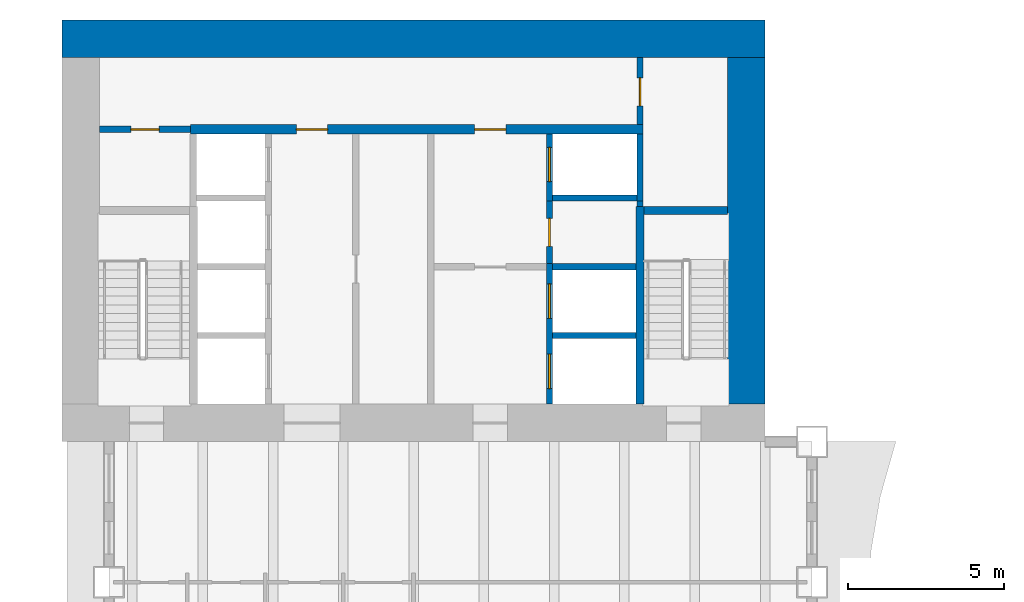
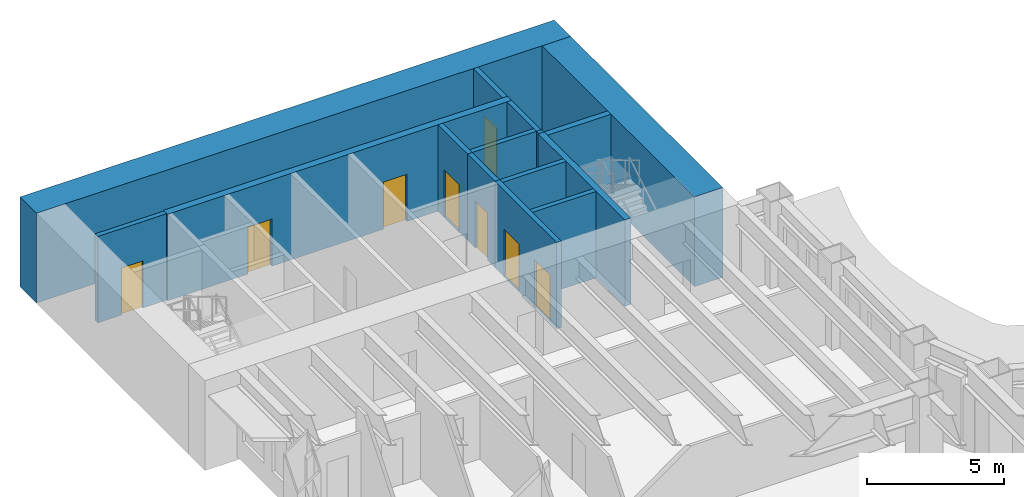
# One storey, part 9 of 16: 15 walls, 8 doors, 8 openings.
"""IFC4 building model written with IfcOpenShell, lengths in metres."""

from ifc_helpers import new_model, si_unit, direction, frame, frame_2d, origin, place, context, subcontext, project, spatial, rectangle, extrude, material, layer, layer_set, type_object, element, fill, save


model = new_model("IFC4")

# Units and contexts
model_context = context("Model", 3, precision=1e-05, world=origin(), true_north=direction((0.0, 1.0)))
body_context = subcontext(model_context, "Body", "Model", "MODEL_VIEW")
ifc_project = project(units=[si_unit("LENGTHUNIT", "METRE"), si_unit("AREAUNIT", "SQUARE_METRE"), si_unit("VOLUMEUNIT", "CUBIC_METRE"), si_unit("PLANEANGLEUNIT", "RADIAN"), si_unit("MASSUNIT", "GRAM", prefix="KILO")], contexts=[model_context])

# Site, building, storey
site_placement = place(None, origin())
site = spatial("IfcSite", under=ifc_project, at=site_placement, CompositionType="ELEMENT")
building_placement = place(site_placement, origin())
building = spatial("IfcBuilding", under=site, at=building_placement, Name="Sennacour Bend Tower", CompositionType="ELEMENT")
storey_placement = place(building_placement, frame((0.0, 0.0, 107.0)))
storey = spatial("IfcBuildingStorey", under=building, at=storey_placement, Name="L24", CompositionType="ELEMENT", Elevation=107.0)

# Walls
ifc_material_1 = material(Name="Concrete C80/95", Category="concrete")
ifc_layer_1 = layer(ifc_material_1, 1.199951171875, Name="Concrete C80/95", Category="concrete")
ifc_layer_set_1 = layer_set([ifc_layer_1], Name="Concrete C80/95")
wall_type_1 = type_object("IfcWallType", Name="Core wall 1200 C80/95", PredefinedType="SHEAR", material=ifc_layer_set_1)
wall_1_placement = place(storey_placement, frame((0.0, 48.89990234375, -0.14990234375), z_axis=(0.0, 0.0, 1.0), x_axis=(1.0, 0.0, 0.0)))
element("IfcWall", 1, at=wall_1_placement, inside=storey, type_object=wall_type_1, Name="Core B wall L24 N", PredefinedType="SHEAR", context=body_context, shape_type="SweptSolid", body=[
    extrude(rectangle(XDim=22.5, YDim=1.199951171875, at=frame_2d((11.25, 0.0))), origin(), (0.0, 0.0, 1.0), 4.0),
])
wall_2_placement = place(storey_placement, frame((21.89990234375, 37.199951171875, -0.14990234375), z_axis=(0.0, 0.0, 1.0), x_axis=(0.0, 1.0, 0.0)))
element("IfcWall", 2, at=wall_2_placement, inside=storey, type_object=wall_type_1, Name="Core B wall L24 E", PredefinedType="SHEAR", context=body_context, shape_type="SweptSolid", body=[
    extrude(rectangle(XDim=11.10009765625, YDim=1.199951171875, at=frame_2d((5.550048828125, 0.0))), origin(), (0.0, 0.0, 1.0), 4.0),
])

# Wall, opening, door
ifc_material_2 = material(Name="Fire-rated plasterboard partition on steel studs", Category="steel")
ifc_layer_2 = layer(ifc_material_2, 0.199951171875, Name="Fire-rated plasterboard partition on steel studs", Category="steel")
ifc_layer_set_2 = layer_set([ifc_layer_2], Name="Fire-rated plasterboard partition on steel studs")
wall_type_2 = type_object("IfcWallType", Name="Rated partition 200", PredefinedType="PARTITIONING", material=ifc_layer_set_2)
wall_3_placement = place(storey_placement, frame((15.60009765625, 41.699951171875, 0.0), z_axis=(0.0, 0.0, 1.0), x_axis=(0.0, 1.0, 0.0)))
wall_3 = element("IfcWall", 3, at=wall_3_placement, inside=storey, type_object=wall_type_2, Name="P-L24-W016", PredefinedType="PARTITIONING", context=body_context, shape_type="SweptSolid", body=[
    extrude(rectangle(XDim=2.0, YDim=0.199951171875, at=frame_2d((1.0, 0.0))), origin(), (0.0, 0.0, 1.0), 3.85009765625),
])
opening_1_placement = place(wall_3_placement, frame((0.550048828125, 0.0, 0.0)))
opening_1 = element("IfcOpeningElement", 4, at=opening_1_placement, cuts=wall_3, Name="Opening SV", PredefinedType="OPENING", context=body_context, shape_type="SweptSolid", body=[
    extrude(rectangle(XDim=0.89990234375, YDim=2.10009765625, at=frame_2d((0.449951171875, 1.050048828125))), frame((0.0, 0.10986328125, 0.0), z_axis=(0.0, -1.0, 0.0), x_axis=(1.0, 0.0, 0.0)), (0.0, 0.0, 1.0), 0.219970703125),
])
ifc_material_3 = material(Name="Painted steel", Category="steel")
door_type_1 = type_object("IfcDoorType", Name="DR-SERVICE-900", OperationType="NOTDEFINED", PredefinedType="DOOR", material=ifc_material_3)
door_1_placement = place(opening_1_placement, origin())
door_1 = element("IfcDoor", 5, at=door_1_placement, inside=storey, type_object=door_type_1, Name="Door", OperationType="SINGLE_SWING_RIGHT", OverallHeight=2.10009765625, OverallWidth=0.89990234375, PredefinedType="DOOR", context=body_context, shape_type="SweptSolid", body=[
    extrude(rectangle(XDim=0.89990234375, YDim=2.10009765625, at=frame_2d((0.449951171875, 1.050048828125))), frame((0.0, 0.02490234375, 0.0), z_axis=(0.0, -1.0, 0.0), x_axis=(1.0, 0.0, 0.0)), (0.0, 0.0, 1.0), 0.050048828125),
])
fill(opening_1, door_1)

# Wall
wall_4_placement = place(storey_placement, frame((18.5, 43.52490234375, 0.0), z_axis=(0.0, 0.0, 1.0), x_axis=(0.0, 1.0, 0.0)))
element("IfcWall", 6, at=wall_4_placement, inside=storey, type_object=wall_type_2, Name="P-L24-W020", PredefinedType="PARTITIONING", context=body_context, shape_type="SweptSolid", body=[
    extrude(rectangle(XDim=0.175048828125, YDim=0.199951171875, at=frame_2d((0.08740234375, 0.0))), origin(), (0.0, 0.0, 1.0), 3.85009765625),
])

# Wall, opening, door
wall_5_placement = place(storey_placement, frame((18.5, 46.14990234375, 0.0), z_axis=(0.0, 0.0, 1.0), x_axis=(0.0, 1.0, 0.0)))
wall_5 = element("IfcWall", 7, at=wall_5_placement, inside=storey, type_object=wall_type_2, Name="P-L24-W022", PredefinedType="PARTITIONING", context=body_context, shape_type="SweptSolid", body=[
    extrude(rectangle(XDim=2.150146484375, YDim=0.199951171875, at=frame_2d((1.0751953125, 0.0))), origin(), (0.0, 0.0, 1.0), 3.85009765625),
])
opening_2_placement = place(wall_5_placement, frame((0.60009765625, 0.0, 0.0)))
opening_2 = element("IfcOpeningElement", 8, at=opening_2_placement, cuts=wall_5, Name="Opening SV", PredefinedType="OPENING", context=body_context, shape_type="SweptSolid", body=[
    extrude(rectangle(XDim=0.89990234375, YDim=2.10009765625, at=frame_2d((0.449951171875, 1.050048828125))), frame((0.0, 0.10986328125, 0.0), z_axis=(0.0, -1.0, 0.0), x_axis=(1.0, 0.0, 0.0)), (0.0, 0.0, 1.0), 0.219970703125),
])
door_2_placement = place(opening_2_placement, origin())
door_2 = element("IfcDoor", 9, at=door_2_placement, inside=storey, type_object=door_type_1, Name="Door", OperationType="SINGLE_SWING_LEFT", OverallHeight=2.10009765625, OverallWidth=0.89990234375, PredefinedType="DOOR", context=body_context, shape_type="SweptSolid", body=[
    extrude(rectangle(XDim=0.89990234375, YDim=2.10009765625, at=frame_2d((0.449951171875, 1.050048828125))), frame((0.0, 0.02490234375, 0.0), z_axis=(0.0, -1.0, 0.0), x_axis=(1.0, 0.0, 0.0)), (0.0, 0.0, 1.0), 0.050048828125),
])
fill(opening_2, door_2)

wall_6_placement = place(storey_placement, frame((1.199951171875, 46.0, 0.0), z_axis=(0.0, 0.0, 1.0), x_axis=(1.0, 0.0, 0.0)))
wall_6 = element("IfcWall", 10, at=wall_6_placement, inside=storey, type_object=wall_type_2, Name="P-L24-W084", PredefinedType="PARTITIONING", context=body_context, shape_type="SweptSolid", body=[
    extrude(rectangle(XDim=2.900146484375, YDim=0.199951171875, at=frame_2d((1.4501953125, 0.0))), origin(), (0.0, 0.0, 1.0), 3.85009765625),
])
opening_3_placement = place(wall_6_placement, frame((1.0, 0.0, 0.0)))
opening_3 = element("IfcOpeningElement", 11, at=opening_3_placement, cuts=wall_6, Name="Opening SV", PredefinedType="OPENING", context=body_context, shape_type="SweptSolid", body=[
    extrude(rectangle(XDim=0.89990234375, YDim=2.10009765625, at=frame_2d((0.449951171875, 1.050048828125))), frame((0.0, 0.10986328125, 0.0), z_axis=(0.0, -1.0, 0.0), x_axis=(1.0, 0.0, 0.0)), (0.0, 0.0, 1.0), 0.219970703125),
])
door_3_placement = place(opening_3_placement, origin())
door_3 = element("IfcDoor", 12, at=door_3_placement, inside=storey, type_object=door_type_1, Name="Door", OperationType="SINGLE_SWING_LEFT", OverallHeight=2.10009765625, OverallWidth=0.89990234375, PredefinedType="DOOR", context=body_context, shape_type="SweptSolid", body=[
    extrude(rectangle(XDim=0.89990234375, YDim=2.10009765625, at=frame_2d((0.449951171875, 1.050048828125))), frame((0.0, 0.02490234375, 0.0), z_axis=(0.0, -1.0, 0.0), x_axis=(1.0, 0.0, 0.0)), (0.0, 0.0, 1.0), 0.050048828125),
])
fill(opening_3, door_3)

# Wall, openings, doors
ifc_material_4 = material(Name="Concrete C50/60", Category="concrete")
ifc_layer_3 = layer(ifc_material_4, 0.199951171875, Name="Concrete C50/60", Category="concrete")
ifc_layer_set_3 = layer_set([ifc_layer_3], Name="Concrete C50/60")
wall_type_3 = type_object("IfcWallType", Name="Shaft wall 200", PredefinedType="SOLIDWALL", material=ifc_layer_set_3)
wall_7_placement = place(storey_placement, frame((15.60009765625, 37.199951171875, 0.0), z_axis=(0.0, 0.0, 1.0), x_axis=(0.0, 1.0, 0.0)))
wall_7 = element("IfcWall", 13, at=wall_7_placement, inside=storey, type_object=wall_type_3, Name="P-L24-W015", PredefinedType="SOLIDWALL", context=body_context, shape_type="SweptSolid", body=[
    extrude(rectangle(XDim=4.5, YDim=0.199951171875, at=frame_2d((2.25, 0.0))), origin(), (0.0, 0.0, 1.0), 3.85009765625),
])
opening_4_placement = place(wall_7_placement, frame((0.5, 0.0, 0.011962890625)))
opening_4 = element("IfcOpeningElement", 14, at=opening_4_placement, cuts=wall_7, Name="Opening FLD", PredefinedType="OPENING", context=body_context, shape_type="SweptSolid", body=[
    extrude(rectangle(XDim=1.10009765625, YDim=2.10009765625, at=frame_2d((0.550048828125, 1.050048828125))), frame((0.0, 0.10986328125, 0.0), z_axis=(0.0, -1.0, 0.0), x_axis=(1.0, 0.0, 0.0)), (0.0, 0.0, 1.0), 0.219970703125),
])
opening_5_placement = place(wall_7_placement, frame((2.75, 0.0, 0.011962890625)))
opening_5 = element("IfcOpeningElement", 15, at=opening_5_placement, cuts=wall_7, Name="Opening FLD", PredefinedType="OPENING", context=body_context, shape_type="SweptSolid", body=[
    extrude(rectangle(XDim=1.10009765625, YDim=2.10009765625, at=frame_2d((0.550048828125, 1.050048828125))), frame((0.0, 0.10986328125, 0.0), z_axis=(0.0, -1.0, 0.0), x_axis=(1.0, 0.0, 0.0)), (0.0, 0.0, 1.0), 0.219970703125),
])
ifc_material_5 = material(Name="Stainless steel", Category="steel")
door_type_2 = type_object("IfcDoorType", Name="DR-FF-LANDING-1100", OperationType="NOTDEFINED", PredefinedType="DOOR", material=ifc_material_5)
door_4_placement = place(opening_4_placement, origin())
door_4 = element("IfcDoor", 16, at=door_4_placement, inside=storey, type_object=door_type_2, Name="Fire service lift landing door FB1", OperationType="SLIDING_TO_LEFT", OverallHeight=2.10009765625, OverallWidth=1.10009765625, PredefinedType="DOOR", context=body_context, shape_type="SweptSolid", body=[
    extrude(rectangle(XDim=1.10009765625, YDim=2.10009765625, at=frame_2d((0.550048828125, 1.050048828125))), frame((0.0, 0.02490234375, 0.0), z_axis=(0.0, -1.0, 0.0), x_axis=(1.0, 0.0, 0.0)), (0.0, 0.0, 1.0), 0.050048828125),
])
fill(opening_4, door_4)
door_5_placement = place(opening_5_placement, origin())
door_5 = element("IfcDoor", 17, at=door_5_placement, inside=storey, type_object=door_type_2, Name="Fire service lift landing door FB2", OperationType="SLIDING_TO_RIGHT", OverallHeight=2.10009765625, OverallWidth=1.10009765625, PredefinedType="DOOR", context=body_context, shape_type="SweptSolid", body=[
    extrude(rectangle(XDim=1.10009765625, YDim=2.10009765625, at=frame_2d((0.550048828125, 1.050048828125))), frame((0.0, 0.02490234375, 0.0), z_axis=(0.0, -1.0, 0.0), x_axis=(1.0, 0.0, 0.0)), (0.0, 0.0, 1.0), 0.050048828125),
])
fill(opening_5, door_5)

# Wall, opening, door
wall_8_placement = place(storey_placement, frame((15.60009765625, 43.699951171875, 0.0), z_axis=(0.0, 0.0, 1.0), x_axis=(0.0, 1.0, 0.0)))
wall_8 = element("IfcWall", 18, at=wall_8_placement, inside=storey, type_object=wall_type_3, Name="P-L24-W017", PredefinedType="SOLIDWALL", context=body_context, shape_type="SweptSolid", body=[
    extrude(rectangle(XDim=2.150146484375, YDim=0.199951171875, at=frame_2d((1.0751953125, 0.0))), origin(), (0.0, 0.0, 1.0), 3.85009765625),
])
opening_6_placement = place(wall_8_placement, frame((0.625, 0.0, 0.011962890625)))
opening_6 = element("IfcOpeningElement", 19, at=opening_6_placement, cuts=wall_8, Name="Opening LD", PredefinedType="OPENING", context=body_context, shape_type="SweptSolid", body=[
    extrude(rectangle(XDim=1.10009765625, YDim=2.10009765625, at=frame_2d((0.550048828125, 1.050048828125))), frame((0.0, 0.10986328125, 0.0), z_axis=(0.0, -1.0, 0.0), x_axis=(1.0, 0.0, 0.0)), (0.0, 0.0, 1.0), 0.219970703125),
])
door_type_3 = type_object("IfcDoorType", Name="DR-LANDING-1100", OperationType="NOTDEFINED", PredefinedType="DOOR", material=ifc_material_5)
door_6_placement = place(opening_6_placement, origin())
door_6 = element("IfcDoor", 20, at=door_6_placement, inside=storey, type_object=door_type_3, Name="Lift landing door LB5", OperationType="SLIDING_TO_LEFT", OverallHeight=2.10009765625, OverallWidth=1.10009765625, PredefinedType="DOOR", context=body_context, shape_type="SweptSolid", body=[
    extrude(rectangle(XDim=1.10009765625, YDim=2.10009765625, at=frame_2d((0.550048828125, 1.050048828125))), frame((0.0, 0.02490234375, 0.0), z_axis=(0.0, -1.0, 0.0), x_axis=(1.0, 0.0, 0.0)), (0.0, 0.0, 1.0), 0.050048828125),
])
fill(opening_6, door_6)

# Walls
wall_9_placement = place(storey_placement, frame((18.5, 43.699951171875, 0.0), z_axis=(0.0, 0.0, 1.0), x_axis=(0.0, 1.0, 0.0)))
element("IfcWall", 21, at=wall_9_placement, inside=storey, type_object=wall_type_3, Name="P-L24-W021", PredefinedType="SOLIDWALL", context=body_context, shape_type="SweptSolid", body=[
    extrude(rectangle(XDim=2.150146484375, YDim=0.199951171875, at=frame_2d((1.0751953125, 0.0))), origin(), (0.0, 0.0, 1.0), 3.85009765625),
])
for number, where, z_axis, x_axis, name in (
    (22, (15.699951171875, 39.39990234375, 0.0), (0.0, 0.0, 1.0), (1.0, 0.0, 0.0), "P-L24-W076"),
    (23, (15.699951171875, 41.60009765625, 0.0), (0.0, 0.0, 1.0), (1.0, 0.0, 0.0), "P-L24-W079"),
):
    element("IfcWall", number, at=place(storey_placement, frame(where, z_axis=z_axis, x_axis=x_axis)), inside=storey, type_object=wall_type_3, Name=name, PredefinedType="SOLIDWALL", context=body_context, shape_type="SweptSolid", body=[
        extrude(rectangle(XDim=2.675048828125, YDim=0.199951171875, at=frame_2d((1.33740234375, 0.0))), origin(), (0.0, 0.0, 1.0), 3.85009765625),
    ])
wall_10_placement = place(storey_placement, frame((15.699951171875, 43.800048828125, 0.0), z_axis=(0.0, 0.0, 1.0), x_axis=(1.0, 0.0, 0.0)))
element("IfcWall", 24, at=wall_10_placement, inside=storey, type_object=wall_type_3, Name="P-L24-W083", PredefinedType="SOLIDWALL", context=body_context, shape_type="SweptSolid", body=[
    extrude(rectangle(XDim=2.699951171875, YDim=0.199951171875, at=frame_2d((1.35009765625, 0.0))), origin(), (0.0, 0.0, 1.0), 3.85009765625),
])

# Wall, openings, doors
ifc_material_6 = material(Name="Concrete C60/75", Category="concrete")
ifc_layer_4 = layer(ifc_material_6, 0.300048828125, Name="Concrete C60/75", Category="concrete")
ifc_layer_set_4 = layer_set([ifc_layer_4], Name="Concrete C60/75")
wall_type_4 = type_object("IfcWallType", Name="Spine wall 300", PredefinedType="SHEAR", material=ifc_layer_set_4)
wall_11_placement = place(storey_placement, frame((4.10009765625, 46.0, 0.0), z_axis=(0.0, 0.0, 1.0), x_axis=(1.0, 0.0, 0.0)))
wall_11 = element("IfcWall", 25, at=wall_11_placement, inside=storey, type_object=wall_type_4, Name="P-L24-W085", PredefinedType="SHEAR", context=body_context, shape_type="SweptSolid", body=[
    extrude(rectangle(XDim=14.5, YDim=0.300048828125, at=frame_2d((7.25, 0.0))), origin(), (0.0, 0.0, 1.0), 3.85009765625),
])
opening_7_placement = place(wall_11_placement, frame((3.39990234375, 0.0, 0.0)))
opening_7 = element("IfcOpeningElement", 26, at=opening_7_placement, cuts=wall_11, Name="Opening CD2", PredefinedType="OPENING", context=body_context, shape_type="SweptSolid", body=[
    extrude(rectangle(XDim=1.0, YDim=2.10009765625, at=frame_2d((0.5, 1.050048828125))), frame((0.0, 0.16015625, 0.0), z_axis=(0.0, -1.0, 0.0), x_axis=(1.0, 0.0, 0.0)), (0.0, 0.0, 1.0), 0.320068359375),
])
opening_8_placement = place(wall_11_placement, frame((9.099853515625, 0.0, 0.0)))
opening_8 = element("IfcOpeningElement", 27, at=opening_8_placement, cuts=wall_11, Name="Opening CD2", PredefinedType="OPENING", context=body_context, shape_type="SweptSolid", body=[
    extrude(rectangle(XDim=1.0, YDim=2.10009765625, at=frame_2d((0.5, 1.050048828125))), frame((0.0, 0.16015625, 0.0), z_axis=(0.0, -1.0, 0.0), x_axis=(1.0, 0.0, 0.0)), (0.0, 0.0, 1.0), 0.320068359375),
])
door_type_4 = type_object("IfcDoorType", Name="DR-LOBBY-1000", OperationType="NOTDEFINED", PredefinedType="DOOR", material=ifc_material_3)
door_7_placement = place(opening_7_placement, origin())
door_7 = element("IfcDoor", 28, at=door_7_placement, inside=storey, type_object=door_type_4, Name="Door", OperationType="SINGLE_SWING_LEFT", OverallHeight=2.10009765625, OverallWidth=1.0, PredefinedType="DOOR", context=body_context, shape_type="SweptSolid", body=[
    extrude(rectangle(XDim=1.0, YDim=2.10009765625, at=frame_2d((0.5, 1.050048828125))), frame((0.0, 0.02490234375, 0.0), z_axis=(0.0, -1.0, 0.0), x_axis=(1.0, 0.0, 0.0)), (0.0, 0.0, 1.0), 0.050048828125),
])
fill(opening_7, door_7)
door_8_placement = place(opening_8_placement, origin())
door_8 = element("IfcDoor", 29, at=door_8_placement, inside=storey, type_object=door_type_4, Name="Door", OperationType="SINGLE_SWING_RIGHT", OverallHeight=2.10009765625, OverallWidth=1.0, PredefinedType="DOOR", context=body_context, shape_type="SweptSolid", body=[
    extrude(rectangle(XDim=1.0, YDim=2.10009765625, at=frame_2d((0.5, 1.050048828125))), frame((0.0, 0.02490234375, 0.0), z_axis=(0.0, -1.0, 0.0), x_axis=(1.0, 0.0, 0.0)), (0.0, 0.0, 1.0), 0.050048828125),
])
fill(opening_8, door_8)

# Walls
ifc_layer_5 = layer(ifc_material_6, 0.25, Name="Concrete C60/75", Category="concrete")
ifc_layer_set_5 = layer_set([ifc_layer_5], Name="Concrete C60/75")
wall_type_5 = type_object("IfcWallType", Name="Stair wall 250", PredefinedType="SHEAR", material=ifc_layer_set_5)
wall_12_placement = place(storey_placement, frame((18.5, 37.199951171875, 0.0), z_axis=(0.0, 0.0, 1.0), x_axis=(0.0, 1.0, 0.0)))
element("IfcWall", 30, at=wall_12_placement, inside=storey, type_object=wall_type_5, Name="P-L24-W019", PredefinedType="SHEAR", context=body_context, shape_type="SweptSolid", body=[
    extrude(rectangle(XDim=6.324951171875, YDim=0.25, at=frame_2d((3.16259765625, 0.0))), origin(), (0.0, 0.0, 1.0), 3.85009765625),
])
wall_13_placement = place(storey_placement, frame((18.625, 43.39990234375, 0.0), z_axis=(0.0, 0.0, 1.0), x_axis=(1.0, 0.0, 0.0)))
element("IfcWall", 31, at=wall_13_placement, inside=storey, type_object=wall_type_5, Name="P-L24-W081", PredefinedType="SHEAR", context=body_context, shape_type="SweptSolid", body=[
    extrude(rectangle(XDim=2.675048828125, YDim=0.25, at=frame_2d((1.33740234375, 0.0))), origin(), (0.0, 0.0, 1.0), 3.85009765625),
])

save(model, "model.ifc")
